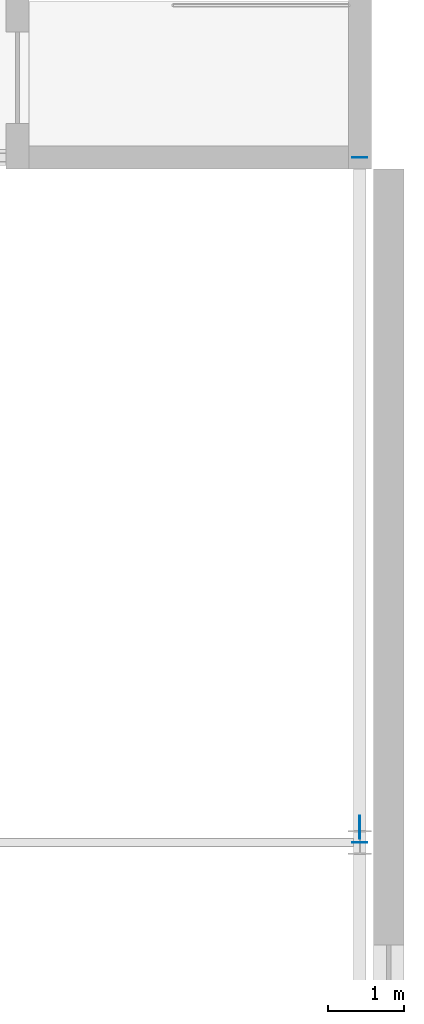
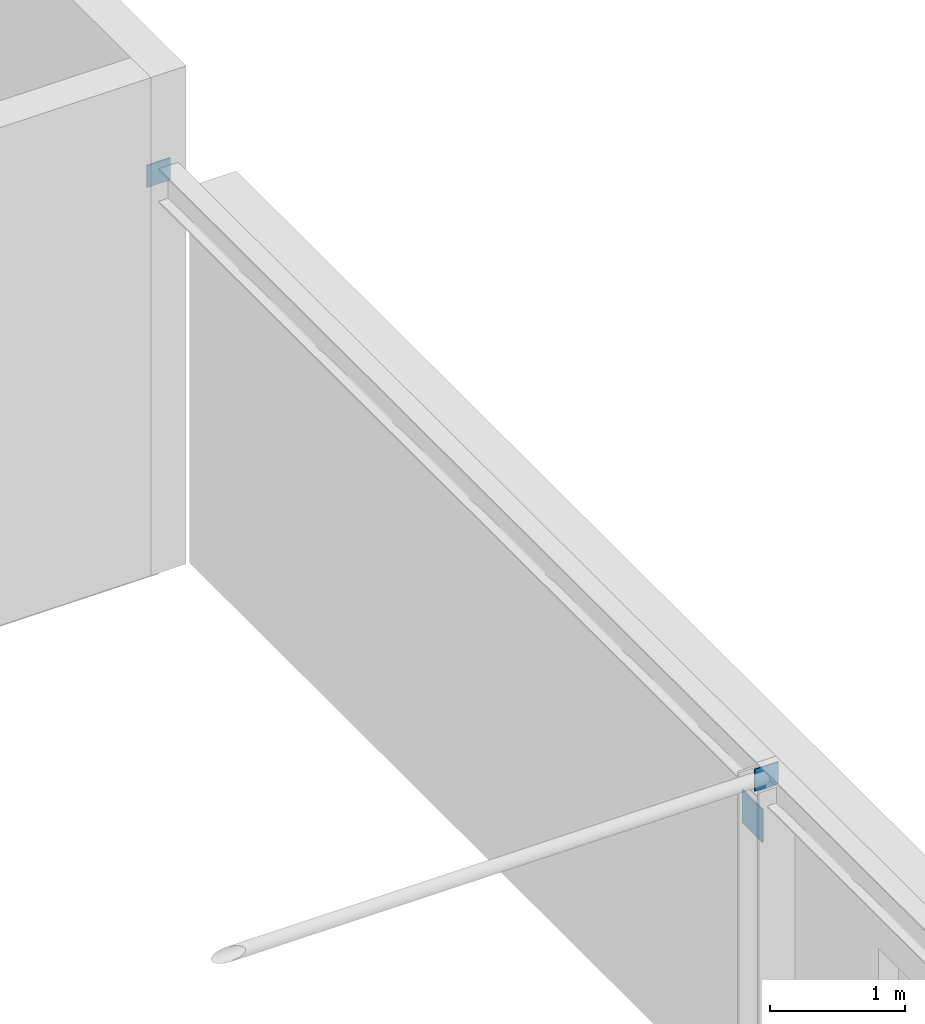
# One storey, part 46 of 59: 3 discrete accessories.
"""IFC4 building model written with IfcOpenShell, lengths in metres."""

from ifc_helpers import new_model, si_unit, direction, frame, origin, origin_2d, place, context, subcontext, project, spatial, rectangle, extrude, material, type_object, element, save


model = new_model("IFC4")

# Units and contexts
model_context = context("Model", 3, precision=1e-05, world=origin(), true_north=direction((0.0, 1.0)))
body_context = subcontext(model_context, "Body", "Model", "MODEL_VIEW")
ifc_project = project(units=[si_unit("LENGTHUNIT", "METRE"), si_unit("AREAUNIT", "SQUARE_METRE"), si_unit("VOLUMEUNIT", "CUBIC_METRE"), si_unit("PLANEANGLEUNIT", "RADIAN"), si_unit("MASSUNIT", "GRAM", prefix="KILO")], contexts=[model_context])

# Site, building, storey
site_placement = place(None, origin())
site = spatial("IfcSite", under=ifc_project, at=site_placement, CompositionType="ELEMENT")
building_placement = place(site_placement, origin())
building = spatial("IfcBuilding", under=site, at=building_placement, Name="Hortulan Conservatory and Botanical Research Centre", CompositionType="ELEMENT")
storey_placement = place(building_placement, frame((0.0, 0.0, 10.5)))
storey = spatial("IfcBuildingStorey", under=building, at=storey_placement, Name="L02", CompositionType="ELEMENT", Elevation=10.5)

# Discrete accessories
ifc_material = material(Name="Steel Grade 300 plate (AS/NZS 3678, 280 MPa minimum yield)", Category="steel")
discrete_accessory_type_1 = type_object("IfcDiscreteAccessoryType", Name="End Plate 200x10", PredefinedType="BRACKET", material=ifc_material)
for number, where, z_axis, x_axis, name in (
    (1, (108.0, 54.0, 3.39990234375), (0.0, 0.0, 1.0), (1.0, 0.0, 0.0), "Strut end plate"),
    (2, (108.0, 63.0, 3.39990234375), (0.0, 0.0, 1.0), (1.0, 0.0, 0.0), "Strut end plate"),
):
    element("IfcDiscreteAccessory", number, at=place(storey_placement, frame(where, z_axis=z_axis, x_axis=x_axis)), inside=storey, type_object=discrete_accessory_type_1, Name=name, PredefinedType="BRACKET", context=body_context, shape_type="SweptSolid", body=[
        extrude(rectangle(XDim=0.199951171875, YDim=0.010009765625, at=origin_2d()), origin(), (0.0, 0.0, 1.0), 0.199951171875),
    ])
discrete_accessory_type_2 = type_object("IfcDiscreteAccessoryType", Name="End Plate 300x12", PredefinedType="BRACKET", material=ifc_material)
discrete_accessory_placement = place(storey_placement, frame((108.0, 54.199951171875, 2.8701171875), z_axis=(0.0, 0.0, 1.0), x_axis=(0.0, -1.0, 0.0)))
element("IfcDiscreteAccessory", 3, at=discrete_accessory_placement, inside=storey, type_object=discrete_accessory_type_2, Name="Brace end plate", PredefinedType="BRACKET", context=body_context, shape_type="SweptSolid", body=[
    extrude(rectangle(XDim=0.300048828125, YDim=0.011962890625, at=origin_2d()), origin(), (0.0, 0.0, 1.0), 0.300048828125),
])

save(model, "model.ifc")
